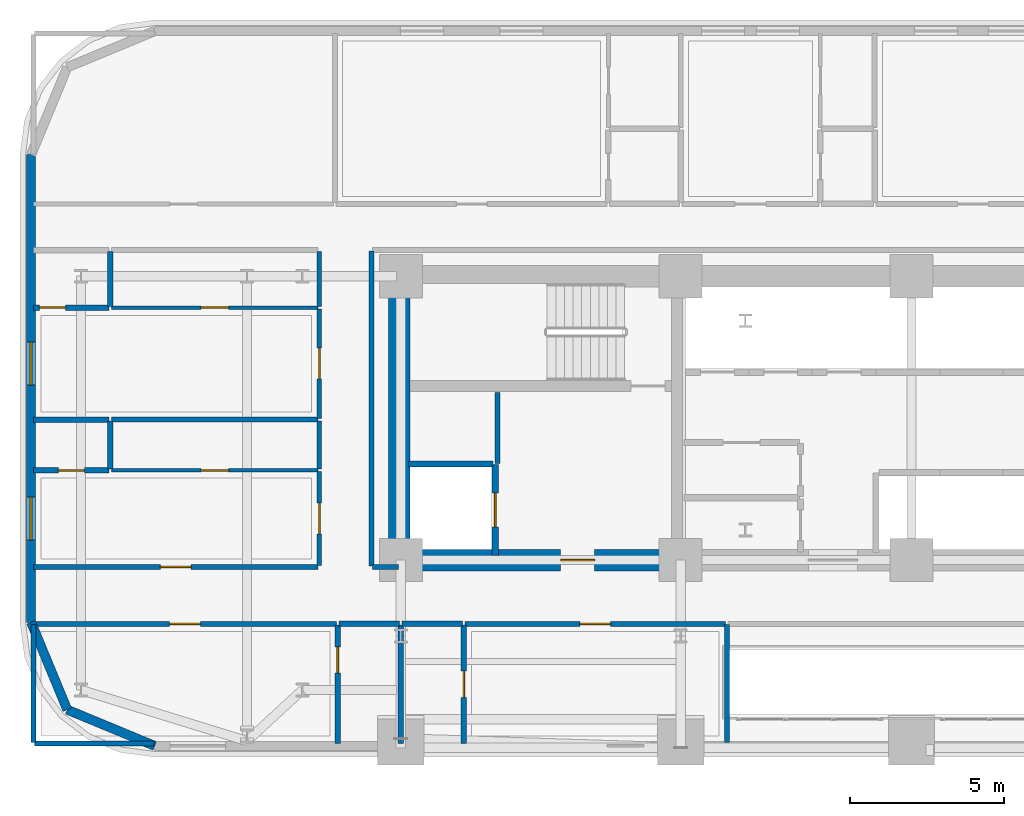
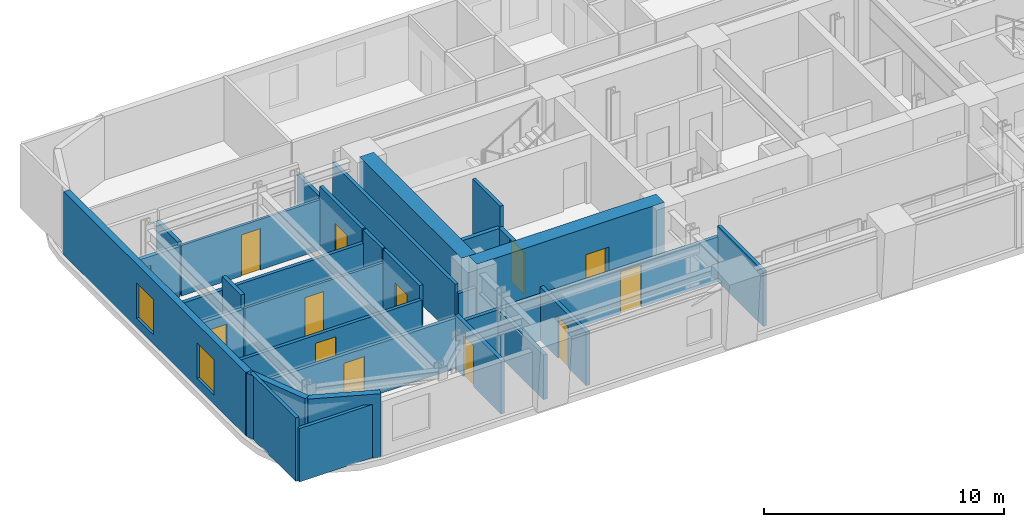
# One storey, part 7 of 16: 33 walls, 13 doors, 2 windows, 15 openings.
"""IFC4 building model written with IfcOpenShell, lengths in metres."""

import ifcopenshell
import ifcopenshell.guid

model = None  # the IFC model being written
_history = None  # IfcOwnerHistory: only IFC2X3 demands one
_inside = {}  # id of a spatial element -> (the spatial element, [elements in it])
_under = {}  # id of a project, library or spatial element -> (it, [spatial elements below it])
_declared = {}  # id of a project -> (the project, [libraries it declares])
_typed = {}  # id of a type object -> (the type object, [elements of that type])
_made_of = {}  # id of a material, layer set ... -> (it, [elements and type objects made of it])


def new_model(schema):
    """Start an empty IFC model of exactly this schema.

    Asked for "IFC4X3", IfcOpenShell would pick the latest addendum, in which some entities
    have other attributes; the version numbers below select the first issue.
    IFC2X3 requires an IfcOwnerHistory on every rooted entity: one is made here for all.
    """
    global model, _history
    if schema == "IFC4X3":
        model = ifcopenshell.file(schema_version=(4, 3, 0, 0))
    else:
        model = ifcopenshell.file(schema=schema)
    _inside.clear()
    _under.clear()
    _declared.clear()
    _typed.clear()
    _made_of.clear()
    _history = None
    if model.schema == "IFC2X3":
        org = make("IfcOrganization", Name="unknown")
        user = make(
            "IfcPersonAndOrganization",
            ThePerson=make("IfcPerson", FamilyName="unknown"),
            TheOrganization=org,
        )
        app = make(
            "IfcApplication",
            ApplicationDeveloper=org,
            Version="unknown",
            ApplicationFullName="unknown",
            ApplicationIdentifier="unknown",
        )
        _history = make(
            "IfcOwnerHistory",
            OwningUser=user,
            OwningApplication=app,
            ChangeAction="ADDED",
            CreationDate=0,
        )
    return model


def make(cls, **values):
    """One entity of the class cls with the attributes given. An attribute that is None is left unset."""
    return model.create_entity(
        cls, **{name: value for name, value in values.items() if value is not None}
    )


def rooted(cls, **values):
    """An entity with a GlobalId (a new one), such as an element, a storey or a relation."""
    return make(cls, GlobalId=ifcopenshell.guid.new(), OwnerHistory=_history, **values)


def si_unit(unit_type, name, prefix=None):
    """IfcSIUnit, for example si_unit("LENGTHUNIT", "METRE", prefix="MILLI")."""
    return make("IfcSIUnit", UnitType=unit_type, Prefix=prefix, Name=name)


def assignment(units):
    """IfcUnitAssignment: the units of a project."""
    return None if units is None else make("IfcUnitAssignment", Units=units)


def point(xyz):
    """IfcCartesianPoint."""
    return None if xyz is None else make("IfcCartesianPoint", Coordinates=xyz)


def direction(xyz):
    """IfcDirection."""
    return None if xyz is None else make("IfcDirection", DirectionRatios=xyz)


def frame(location, z_axis=None, x_axis=None):
    """IfcAxis2Placement3D, a coordinate frame: its origin and axes. An axis left out is left unset."""
    return make(
        "IfcAxis2Placement3D",
        Location=point(location),
        Axis=direction(z_axis),
        RefDirection=direction(x_axis),
    )


def frame_2d(location, x_axis=None):
    """IfcAxis2Placement2D, a coordinate frame in the plane: its origin and x axis."""
    return make(
        "IfcAxis2Placement2D", Location=point(location), RefDirection=direction(x_axis)
    )


def origin():
    """The frame at (0, 0, 0) with its axes left unset."""
    return frame((0.0, 0.0, 0.0))


def place(relative_to, where):
    """IfcLocalPlacement: puts the frame where relative to a parent placement (None: the world)."""
    return make(
        "IfcLocalPlacement", PlacementRelTo=relative_to, RelativePlacement=where
    )


def context(
    kind, dimensions, precision=None, world=None, true_north=None, identifier=None
):
    """IfcGeometricRepresentationContext, for example the 3D "Model" context."""
    return make(
        "IfcGeometricRepresentationContext",
        ContextIdentifier=identifier,
        ContextType=kind,
        CoordinateSpaceDimension=dimensions,
        Precision=precision,
        WorldCoordinateSystem=world,
        TrueNorth=true_north,
    )


def subcontext(parent, identifier, kind, view, scale=None):
    """IfcGeometricRepresentationSubContext, for example "Body" below "Model"."""
    return make(
        "IfcGeometricRepresentationSubContext",
        ContextIdentifier=identifier,
        ContextType=kind,
        ParentContext=parent,
        TargetScale=scale,
        TargetView=view,
    )


def project(units=None, contexts=None):
    """IfcProject with its units and contexts."""
    return rooted(
        "IfcProject",
        Name="project",
        RepresentationContexts=contexts,
        UnitsInContext=assignment(units),
    )


def spatial(cls, under=None, at=None, **own):
    """A site, building, storey or space (cls), placed at a placement, below another one or the project."""
    s = rooted(cls, ObjectPlacement=at, **own)
    if under is not None:
        _under.setdefault(under.id(), (under, []))[1].append(s)
    return s


def profile(cls, at=None, kind="AREA", **sizes):
    """A parametric profile (cls). Its sizes go by their IFC names, for example OverallWidth=200.0."""
    return make(cls, ProfileType=kind, Position=at, **sizes)


def rectangle(**sizes):
    """IfcRectangleProfileDef."""
    return profile("IfcRectangleProfileDef", **sizes)


def extrude(swept, where, along, depth):
    """IfcExtrudedAreaSolid: the profile swept, set in the frame where, extruded along a direction by depth."""
    return make(
        "IfcExtrudedAreaSolid",
        SweptArea=swept,
        Position=where,
        ExtrudedDirection=direction(along),
        Depth=depth,
    )


def shape(context_of_items, identifier, shape_type, items):
    """IfcShapeRepresentation: the items that make up one representation, for example the "Body"."""
    return make(
        "IfcShapeRepresentation",
        ContextOfItems=context_of_items,
        RepresentationIdentifier=identifier,
        RepresentationType=shape_type,
        Items=items,
    )


def material(Name=None, Category=None):
    """IfcMaterial."""
    return make("IfcMaterial", Name=Name, Category=Category)


def layer(
    of_material, thickness, ventilated=None, Name=None, Category=None, Priority=None
):
    """IfcMaterialLayer: one layer of a wall or slab, of a material (None: an air gap)."""
    return make(
        "IfcMaterialLayer",
        Material=of_material,
        LayerThickness=thickness,
        IsVentilated=ventilated,
        Name=Name,
        Category=Category,
        Priority=Priority,
    )


def layer_set(layers, Name=None):
    """IfcMaterialLayerSet."""
    return make("IfcMaterialLayerSet", MaterialLayers=layers, LayerSetName=Name)


def made_of(thing, what):
    """Note that an element or type object is made of a material, layer set ...; save() writes the relation."""
    if what is not None:
        _made_of.setdefault(what.id(), (what, []))[1].append(thing)
    return thing


def type_object(cls, material=None, **own):
    """A type object (cls), such as IfcWallType, which elements share."""
    return made_of(rooted(cls, **own), material)


def element(
    cls,
    number,
    at=None,
    inside=None,
    cuts=None,
    type_object=None,
    material=None,
    context=None,
    identifier="Body",
    shape_type=None,
    held_by="IfcProductDefinitionShape",
    body=None,
    shapes=None,
    **own,
):
    """One element of the class cls, such as IfcWall. Its Tag is "e" and its number.

    at: its placement. inside: the storey or other place that contains it. cuts: it is an
    opening in that element (IfcRelVoidsElement). A single representation is given by context,
    identifier, shape_type and body (its items); several are given by shapes. held_by: the class
    of the entity that holds the representations. save() writes the other relations.
    """
    e = rooted(cls, Tag="e%d" % number, ObjectPlacement=at, **own)
    if body is not None:
        shapes = [shape(context, identifier, shape_type, body)]
    if shapes is not None:
        e.Representation = make(held_by, Representations=shapes)
    if inside is not None:
        _inside.setdefault(inside.id(), (inside, []))[1].append(e)
    if cuts is not None:
        rooted(
            "IfcRelVoidsElement", RelatingBuildingElement=cuts, RelatedOpeningElement=e
        )
    if type_object is not None:
        _typed.setdefault(type_object.id(), (type_object, []))[1].append(e)
    return made_of(e, material)


def fill(opening, filler):
    """IfcRelFillsElement: the door or window that sits in an opening."""
    return rooted(
        "IfcRelFillsElement",
        RelatingOpeningElement=opening,
        RelatedBuildingElement=filler,
    )


def aggregate(whole, parts):
    """IfcRelAggregates: a whole, such as a stair, and the parts it consists of."""
    return rooted("IfcRelAggregates", RelatingObject=whole, RelatedObjects=parts)


def save(model, path):
    """Write the relations noted so far, then the file.

    IfcRelAggregates (storeys below a building ...), IfcRelContainedInSpatialStructure (elements
    in a storey), IfcRelDefinesByType, IfcRelAssociatesMaterial and IfcRelDeclares: one each for
    every whole, place, type object, material and project.
    """
    for whole, parts in _under.values():
        aggregate(whole, parts)
    for where, things in _inside.values():
        rooted(
            "IfcRelContainedInSpatialStructure",
            RelatedElements=things,
            RelatingStructure=where,
        )
    for kind, things in _typed.values():
        rooted("IfcRelDefinesByType", RelatedObjects=things, RelatingType=kind)
    for what, things in _made_of.values():
        rooted("IfcRelAssociatesMaterial", RelatedObjects=things, RelatingMaterial=what)
    for by, libraries in _declared.values():
        rooted("IfcRelDeclares", RelatingContext=by, RelatedDefinitions=libraries)
    model.write(path)


model = new_model("IFC4")

# Units and contexts
model_context = context("Model", 3, precision=1e-05, world=origin(), true_north=direction((0.0, 1.0)))
body_context = subcontext(model_context, "Body", "Model", "MODEL_VIEW")
ifc_project = project(units=[si_unit("LENGTHUNIT", "METRE"), si_unit("AREAUNIT", "SQUARE_METRE"), si_unit("VOLUMEUNIT", "CUBIC_METRE"), si_unit("PLANEANGLEUNIT", "RADIAN"), si_unit("MASSUNIT", "GRAM", prefix="KILO")], contexts=[model_context])

# Site, building, storey
site_placement = place(None, origin())
site = spatial("IfcSite", under=ifc_project, at=site_placement, CompositionType="ELEMENT")
building_placement = place(site_placement, origin())
building = spatial("IfcBuilding", under=site, at=building_placement, Name="Zarnavel Station Tower", CompositionType="ELEMENT")
storey_placement = place(building_placement, frame((0.0, 0.0, 46.5)))
storey = spatial("IfcBuildingStorey", under=building, at=storey_placement, Name="L12", CompositionType="ELEMENT", Elevation=46.5)

# Wall, opening, door
ifc_material_1 = material(Name="Concrete C60/75", Category="concrete")
ifc_layer_1 = layer(ifc_material_1, 0.699951171875)
ifc_layer_set_1 = layer_set([ifc_layer_1], Name="CW_700")
wall_type_1 = type_object("IfcWallType", Name="CW_700", PredefinedType="SHEAR", material=ifc_layer_set_1)
wall_1_placement = place(storey_placement, frame((21.179931640625, 27.820068359375, 0.0), z_axis=(0.0, 0.0, 1.0), x_axis=(-1.0, 0.0, 0.0)))
wall_1 = element("IfcWall", 1, at=wall_1_placement, inside=storey, type_object=wall_type_1, Name="L12 Rear Core Shear Wall S-W", PredefinedType="SHEAR", context=body_context, shape_type="SweptSolid", body=[
    extrude(rectangle(XDim=9.030029296875, YDim=0.699951171875, at=frame_2d((4.51513671875, 0.0))), origin(), (0.0, 0.0, 1.0), 3.5),
])
opening_1_placement = place(wall_1_placement, frame((2.679931640625, 0.0, 0.0)))
opening_1 = element("IfcOpeningElement", 2, at=opening_1_placement, cuts=wall_1, Name="Opening FD01", PredefinedType="OPENING", context=body_context, shape_type="SweptSolid", body=[
    extrude(rectangle(XDim=1.10009765625, YDim=2.14990234375, at=frame_2d((0.550048828125, 1.074951171875))), frame((0.0, 0.35986328125, 0.0), z_axis=(0.0, -1.0, 0.0), x_axis=(1.0, 0.0, 0.0)), (0.0, 0.0, 1.0), 0.719970703125),
])
ifc_material_2 = material(Name="Painted Galvanised Steel and Hardwood Leaf", Category="steel")
door_type_1 = type_object("IfcDoorType", Name="ID_STAIR_1100", OperationType="NOTDEFINED", PredefinedType="DOOR", material=ifc_material_2)
door_1_placement = place(opening_1_placement, origin())
door_1 = element("IfcDoor", 3, at=door_1_placement, inside=storey, type_object=door_type_1, Name="L12 West Firefighting Lobby Door", OperationType="SINGLE_SWING_RIGHT", OverallHeight=2.14990234375, OverallWidth=1.10009765625, PredefinedType="DOOR", context=body_context, shape_type="SweptSolid", body=[
    extrude(rectangle(XDim=1.10009765625, YDim=2.14990234375, at=frame_2d((0.550048828125, 1.074951171875))), frame((0.0, 0.02490234375, 0.0), z_axis=(0.0, -1.0, 0.0), x_axis=(1.0, 0.0, 0.0)), (0.0, 0.0, 1.0), 0.050048828125),
])
fill(opening_1, door_1)

# Wall
wall_2_placement = place(storey_placement, frame((12.14990234375, 28.169921875, 0.0), z_axis=(0.0, 0.0, 1.0), x_axis=(0.0, 1.0, 0.0)))
element("IfcWall", 4, at=wall_2_placement, inside=storey, type_object=wall_type_1, Name="L12 Rear Core Shear Wall W", PredefinedType="SHEAR", context=body_context, shape_type="SweptSolid", body=[
    extrude(rectangle(XDim=8.530029296875, YDim=0.699951171875, at=frame_2d((4.26513671875, 0.0))), origin(), (0.0, 0.0, 1.0), 3.5),
])

# Wall, openings, windows
ifc_material_3 = material(Name="Precast concrete C45/55 (Dark Basalt Finish)", Category="masonry")
ifc_layer_2 = layer(ifc_material_3, 0.300048828125)
ifc_layer_set_2 = layer_set([ifc_layer_2], Name="EW_BASALT_300")
wall_type_2 = type_object("IfcWallType", Name="EW_BASALT_300", PredefinedType="SOLIDWALL", material=ifc_layer_set_2)
wall_3_placement = place(storey_placement, frame((0.179931640625, 25.800048828125, 0.0), z_axis=(0.0, 0.0, 1.0), x_axis=(0.0, 1.0, 0.0)))
wall_3 = element("IfcWall", 5, at=wall_3_placement, inside=storey, type_object=wall_type_2, Name="L12 Exterior Basalt Masonry Frame Wall 09", PredefinedType="SOLIDWALL", context=body_context, shape_type="SweptSolid", body=[
    extrude(rectangle(XDim=15.199951171875, YDim=0.300048828125, at=frame_2d((7.60009765625, 0.0))), origin(), (0.0, 0.0, 1.0), 3.239990234375),
])
opening_2_placement = place(wall_3_placement, frame((2.67041015625, 0.0, 0.47998046875)))
opening_2 = element("IfcOpeningElement", 6, at=opening_2_placement, cuts=wall_3, Name="Opening WN01", PredefinedType="OPENING", context=body_context, shape_type="SweptSolid", body=[
    extrude(rectangle(XDim=1.39990234375, YDim=1.800048828125, at=frame_2d((0.699951171875, 0.89990234375))), frame((0.0, 0.159912109375, 0.0), z_axis=(0.0, -1.0, 0.0), x_axis=(1.0, 0.0, 0.0)), (0.0, 0.0, 1.0), 0.320068359375),
])
opening_3_placement = place(wall_3_placement, frame((7.708984375, 0.0, 0.47998046875)))
opening_3 = element("IfcOpeningElement", 7, at=opening_3_placement, cuts=wall_3, Name="Opening WN01", PredefinedType="OPENING", context=body_context, shape_type="SweptSolid", body=[
    extrude(rectangle(XDim=1.39990234375, YDim=1.800048828125, at=frame_2d((0.699951171875, 0.89990234375))), frame((0.0, 0.159912109375, 0.0), z_axis=(0.0, -1.0, 0.0), x_axis=(1.0, 0.0, 0.0)), (0.0, 0.0, 1.0), 0.320068359375),
])
ifc_material_4 = material(Name="Thermally Broken Black Aluminium and Low-E Dark Glass", Category="aluminium")
window_type = type_object("IfcWindowType", Name="WN_1400x1800", PartitioningType="DOUBLE_PANEL_VERTICAL", PredefinedType="WINDOW", material=ifc_material_4)
window_1_placement = place(opening_2_placement, origin())
window_1 = element("IfcWindow", 8, at=window_1_placement, inside=storey, type_object=window_type, Name="L12 Recessed Facade Window 01", OverallHeight=1.800048828125, OverallWidth=1.39990234375, PartitioningType="SINGLE_PANEL", PredefinedType="WINDOW", context=body_context, shape_type="SweptSolid", body=[
    extrude(rectangle(XDim=1.39990234375, YDim=1.800048828125, at=frame_2d((0.699951171875, 0.89990234375))), frame((0.0, 0.030029296875, 0.0), z_axis=(0.0, -1.0, 0.0), x_axis=(1.0, 0.0, 0.0)), (0.0, 0.0, 1.0), 0.06005859375),
])
fill(opening_2, window_1)
window_2_placement = place(opening_3_placement, origin())
window_2 = element("IfcWindow", 9, at=window_2_placement, inside=storey, type_object=window_type, Name="L12 Recessed Facade Window 02", OverallHeight=1.800048828125, OverallWidth=1.39990234375, PartitioningType="SINGLE_PANEL", PredefinedType="WINDOW", context=body_context, shape_type="SweptSolid", body=[
    extrude(rectangle(XDim=1.39990234375, YDim=1.800048828125, at=frame_2d((0.699951171875, 0.89990234375))), frame((0.0, 0.030029296875, 0.0), z_axis=(0.0, -1.0, 0.0), x_axis=(1.0, 0.0, 0.0)), (0.0, 0.0, 1.0), 0.06005859375),
])
fill(opening_3, window_2)

# Walls
for number, where, z_axis, x_axis, name in (
    (10, (1.357421875, 22.95751953125, 0.0), (0.0, 0.0, 1.0), (-0.382704529509, 0.923870793506, 0.0), "L12 Exterior Basalt Masonry Frame Wall 10"),
    (11, (4.199951171875, 21.780029296875, 0.0), (0.0, 0.0, 1.0), (-0.923870793506, 0.382704529509, 0.0), "L12 Exterior Basalt Masonry Frame Wall 11"),
):
    element("IfcWall", number, at=place(storey_placement, frame(where, z_axis=z_axis, x_axis=x_axis)), inside=storey, type_object=wall_type_2, Name=name, PredefinedType="SOLIDWALL", context=body_context, shape_type="SweptSolid", body=[
        extrude(rectangle(XDim=3.07666015625, YDim=0.300048828125, at=frame_2d((1.538330078125, 0.0))), origin(), (0.0, 0.0, 1.0), 3.239990234375),
    ])

# Wall, opening, door
ifc_material_5 = material(Name="Gypsum Twin-Stud Acoustic Fire Partition", Category="concrete")
ifc_layer_3 = layer(ifc_material_5, 0.159912109375)
ifc_layer_set_3 = layer_set([ifc_layer_3], Name="PT_DEMISE_160")
wall_type_3 = type_object("IfcWallType", Name="PT_DEMISE_160", PredefinedType="PARTITIONING", material=ifc_layer_set_3)
wall_4_placement = place(storey_placement, frame((0.260009765625, 27.60009765625, 0.0), z_axis=(0.0, 0.0, 1.0), x_axis=(1.0, 0.0, 0.0)))
wall_4 = element("IfcWall", 12, at=wall_4_placement, inside=storey, type_object=wall_type_3, Name="L12 Partition COR-S-FNW1R", PredefinedType="PARTITIONING", context=body_context, shape_type="SweptSolid", body=[
    extrude(rectangle(XDim=9.25, YDim=0.159912109375, at=frame_2d((4.625, 0.0))), origin(), (0.0, 0.0, 1.0), 2.570068359375),
])
opening_4_placement = place(wall_4_placement, frame((4.125, 0.0, 0.0)))
opening_4 = element("IfcOpeningElement", 13, at=opening_4_placement, cuts=wall_4, Name="Opening FD02", PredefinedType="OPENING", context=body_context, shape_type="SweptSolid", body=[
    extrude(rectangle(XDim=1.0, YDim=2.14990234375, at=frame_2d((0.5, 1.074951171875))), frame((0.0, 0.08984375, 0.0), z_axis=(0.0, -1.0, 0.0), x_axis=(1.0, 0.0, 0.0)), (0.0, 0.0, 1.0), 0.179931640625),
])
ifc_material_6 = material(Name="Painted Galvanised Steel and Hardwood Leaf", Category="steel")
door_type_2 = type_object("IfcDoorType", Name="ID_ENTRY_1000", OperationType="NOTDEFINED", PredefinedType="DOOR", material=ifc_material_6)
door_2_placement = place(opening_4_placement, origin())
door_2 = element("IfcDoor", 14, at=door_2_placement, inside=storey, type_object=door_type_2, Name="L12 Door COR-S-FNW1R", OperationType="SINGLE_SWING_RIGHT", OverallHeight=2.14990234375, OverallWidth=1.0, PredefinedType="DOOR", context=body_context, shape_type="SweptSolid", body=[
    extrude(rectangle(XDim=1.0, YDim=2.14990234375, at=frame_2d((0.5, 1.074951171875))), frame((0.0, 0.02490234375, 0.0), z_axis=(0.0, -1.0, 0.0), x_axis=(1.0, 0.0, 0.0)), (0.0, 0.0, 1.0), 0.050048828125),
])
fill(opening_4, door_2)

wall_5_placement = place(storey_placement, frame((0.260009765625, 25.75, 0.0), z_axis=(0.0, 0.0, 1.0), x_axis=(1.0, 0.0, 0.0)))
wall_5 = element("IfcWall", 15, at=wall_5_placement, inside=storey, type_object=wall_type_3, Name="L12 Partition COR-S-HW1R", PredefinedType="PARTITIONING", context=body_context, shape_type="SweptSolid", body=[
    extrude(rectangle(XDim=9.85009765625, YDim=0.159912109375, at=frame_2d((4.925048828125, 0.0))), origin(), (0.0, 0.0, 1.0), 2.570068359375),
])
opening_5_placement = place(wall_5_placement, frame((4.425048828125, 0.0, 0.0)))
opening_5 = element("IfcOpeningElement", 16, at=opening_5_placement, cuts=wall_5, Name="Opening FD02", PredefinedType="OPENING", context=body_context, shape_type="SweptSolid", body=[
    extrude(rectangle(XDim=1.0, YDim=2.14990234375, at=frame_2d((0.5, 1.074951171875))), frame((0.0, 0.08984375, 0.0), z_axis=(0.0, -1.0, 0.0), x_axis=(1.0, 0.0, 0.0)), (0.0, 0.0, 1.0), 0.179931640625),
])
door_3_placement = place(opening_5_placement, origin())
door_3 = element("IfcDoor", 17, at=door_3_placement, inside=storey, type_object=door_type_2, Name="L12 Door COR-S-HW1R", OperationType="SINGLE_SWING_RIGHT", OverallHeight=2.14990234375, OverallWidth=1.0, PredefinedType="DOOR", context=body_context, shape_type="SweptSolid", body=[
    extrude(rectangle(XDim=1.0, YDim=2.14990234375, at=frame_2d((0.5, 1.074951171875))), frame((0.0, 0.02490234375, 0.0), z_axis=(0.0, -1.0, 0.0), x_axis=(1.0, 0.0, 0.0)), (0.0, 0.0, 1.0), 0.050048828125),
])
fill(opening_5, door_3)

wall_6_placement = place(storey_placement, frame((14.2900390625, 25.75, 0.0), z_axis=(0.0, 0.0, 1.0), x_axis=(1.0, 0.0, 0.0)))
wall_6 = element("IfcWall", 18, at=wall_6_placement, inside=storey, type_object=wall_type_3, Name="L12 Partition COR-S-HW2R", PredefinedType="PARTITIONING", context=body_context, shape_type="SweptSolid", body=[
    extrude(rectangle(XDim=8.469970703125, YDim=0.159912109375, at=frame_2d((4.23486328125, 0.0))), origin(), (0.0, 0.0, 1.0), 2.280029296875),
])
opening_6_placement = place(wall_6_placement, frame((3.735107421875, 0.0, 0.0)))
opening_6 = element("IfcOpeningElement", 19, at=opening_6_placement, cuts=wall_6, Name="Opening FD02", PredefinedType="OPENING", context=body_context, shape_type="SweptSolid", body=[
    extrude(rectangle(XDim=1.0, YDim=2.14990234375, at=frame_2d((0.5, 1.074951171875))), frame((0.0, 0.08984375, 0.0), z_axis=(0.0, -1.0, 0.0), x_axis=(1.0, 0.0, 0.0)), (0.0, 0.0, 1.0), 0.179931640625),
])
door_4_placement = place(opening_6_placement, origin())
door_4 = element("IfcDoor", 20, at=door_4_placement, inside=storey, type_object=door_type_2, Name="L12 Door COR-S-HW2R", OperationType="SINGLE_SWING_LEFT", OverallHeight=2.14990234375, OverallWidth=1.0, PredefinedType="DOOR", context=body_context, shape_type="SweptSolid", body=[
    extrude(rectangle(XDim=1.0, YDim=2.14990234375, at=frame_2d((0.5, 1.074951171875))), frame((0.0, 0.02490234375, 0.0), z_axis=(0.0, -1.0, 0.0), x_axis=(1.0, 0.0, 0.0)), (0.0, 0.0, 1.0), 0.050048828125),
])
fill(opening_6, door_4)

wall_7_placement = place(storey_placement, frame((9.550048828125, 27.639892578125, 0.0), z_axis=(0.0, 0.0, 1.0), x_axis=(0.0, 1.0, 0.0)))
wall_7 = element("IfcWall", 21, at=wall_7_placement, inside=storey, type_object=wall_type_3, Name="L12 Partition COR-W-FNW1R", PredefinedType="PARTITIONING", context=body_context, shape_type="SweptSolid", body=[
    extrude(rectangle(XDim=3.06103515625, YDim=0.159912109375, at=frame_2d((1.530517578125, 0.0))), origin(), (0.0, 0.0, 1.0), 3.239990234375),
])
opening_7_placement = place(wall_7_placement, frame((1.030517578125, 0.0, 0.0)))
opening_7 = element("IfcOpeningElement", 22, at=opening_7_placement, cuts=wall_7, Name="Opening FD02", PredefinedType="OPENING", context=body_context, shape_type="SweptSolid", body=[
    extrude(rectangle(XDim=1.0, YDim=2.14990234375, at=frame_2d((0.5, 1.074951171875))), frame((0.0, 0.08984375, 0.0), z_axis=(0.0, -1.0, 0.0), x_axis=(1.0, 0.0, 0.0)), (0.0, 0.0, 1.0), 0.179931640625),
])
door_5_placement = place(opening_7_placement, origin())
door_5 = element("IfcDoor", 23, at=door_5_placement, inside=storey, type_object=door_type_2, Name="L12 Door COR-W-FNW1R", OperationType="SINGLE_SWING_RIGHT", OverallHeight=2.14990234375, OverallWidth=1.0, PredefinedType="DOOR", context=body_context, shape_type="SweptSolid", body=[
    extrude(rectangle(XDim=1.0, YDim=2.14990234375, at=frame_2d((0.5, 1.074951171875))), frame((0.0, 0.02490234375, 0.0), z_axis=(0.0, -1.0, 0.0), x_axis=(1.0, 0.0, 0.0)), (0.0, 0.0, 1.0), 0.050048828125),
])
fill(opening_7, door_5)

# Wall
wall_8_placement = place(storey_placement, frame((9.550048828125, 30.781005859375, 0.0), z_axis=(0.0, 0.0, 1.0), x_axis=(0.0, 1.0, 0.0)))
element("IfcWall", 24, at=wall_8_placement, inside=storey, type_object=wall_type_3, Name="L12 Partition COR-W-FNW1S", PredefinedType="PARTITIONING", context=body_context, shape_type="SweptSolid", body=[
    extrude(rectangle(XDim=1.570068359375, YDim=0.159912109375, at=frame_2d((0.78515625, 0.0))), origin(), (0.0, 0.0, 1.0), 3.239990234375),
])

# Wall, opening, door
wall_9_placement = place(storey_placement, frame((9.550048828125, 32.430908203125, 0.0), z_axis=(0.0, 0.0, 1.0), x_axis=(0.0, 1.0, 0.0)))
wall_9 = element("IfcWall", 25, at=wall_9_placement, inside=storey, type_object=wall_type_3, Name="L12 Partition COR-W-FNW2R", PredefinedType="PARTITIONING", context=body_context, shape_type="SweptSolid", body=[
    extrude(rectangle(XDim=3.55615234375, YDim=0.159912109375, at=frame_2d((1.778076171875, 0.0))), origin(), (0.0, 0.0, 1.0), 3.239990234375),
])
opening_8_placement = place(wall_9_placement, frame((1.278076171875, 0.0, 0.0)))
opening_8 = element("IfcOpeningElement", 26, at=opening_8_placement, cuts=wall_9, Name="Opening FD02", PredefinedType="OPENING", context=body_context, shape_type="SweptSolid", body=[
    extrude(rectangle(XDim=1.0, YDim=2.14990234375, at=frame_2d((0.5, 1.074951171875))), frame((0.0, 0.08984375, 0.0), z_axis=(0.0, -1.0, 0.0), x_axis=(1.0, 0.0, 0.0)), (0.0, 0.0, 1.0), 0.179931640625),
])
door_6_placement = place(opening_8_placement, origin())
door_6 = element("IfcDoor", 27, at=door_6_placement, inside=storey, type_object=door_type_2, Name="L12 Door COR-W-FNW2R", OperationType="SINGLE_SWING_LEFT", OverallHeight=2.14990234375, OverallWidth=1.0, PredefinedType="DOOR", context=body_context, shape_type="SweptSolid", body=[
    extrude(rectangle(XDim=1.0, YDim=2.14990234375, at=frame_2d((0.5, 1.074951171875))), frame((0.0, 0.02490234375, 0.0), z_axis=(0.0, -1.0, 0.0), x_axis=(1.0, 0.0, 0.0)), (0.0, 0.0, 1.0), 0.050048828125),
])
fill(opening_8, door_6)

# Walls
wall_10_placement = place(storey_placement, frame((9.550048828125, 36.06689453125, 0.0), z_axis=(0.0, 0.0, 1.0), x_axis=(0.0, 1.0, 0.0)))
element("IfcWall", 28, at=wall_10_placement, inside=storey, type_object=wall_type_3, Name="L12 Partition COR-W-FNW2S", PredefinedType="PARTITIONING", context=body_context, shape_type="SweptSolid", body=[
    extrude(rectangle(XDim=1.793212890625, YDim=0.159912109375, at=frame_2d((0.896484375, 0.0))), origin(), (0.0, 0.0, 1.0), 2.719970703125),
])
wall_11_placement = place(storey_placement, frame((2.800048828125, 32.39111328125, 0.0), z_axis=(0.0, 0.0, 1.0), x_axis=(1.0, 0.0, 0.0)))
element("IfcWall", 29, at=wall_11_placement, inside=storey, type_object=wall_type_3, Name="L12 Partition FNW1S-FNW2R", PredefinedType="PARTITIONING", context=body_context, shape_type="SweptSolid", body=[
    extrude(rectangle(XDim=6.7099609375, YDim=0.159912109375, at=frame_2d((3.35498046875, 0.0))), origin(), (0.0, 0.0, 1.0), 2.570068359375),
])
wall_12_placement = place(storey_placement, frame((15.35009765625, 30.9599609375, 0.0), z_axis=(0.0, 0.0, 1.0), x_axis=(0.0, 1.0, 0.0)))
element("IfcWall", 30, at=wall_12_placement, inside=storey, type_object=wall_type_3, Name="L12 Enclosure Wall FFL1", PredefinedType="PARTITIONING", context=body_context, shape_type="SweptSolid", body=[
    extrude(rectangle(XDim=2.31005859375, YDim=0.159912109375, at=frame_2d((1.155029296875, 0.0))), origin(), (0.0, 0.0, 1.0), 3.239990234375),
])
wall_13_placement = place(storey_placement, frame((11.280029296875, 27.60009765625, 0.0), z_axis=(0.0, 0.0, 1.0), x_axis=(1.0, 0.0, 0.0)))
element("IfcWall", 31, at=wall_13_placement, inside=storey, type_object=wall_type_3, Name="L12 Enclosure Wall COR-S", PredefinedType="PARTITIONING", context=body_context, shape_type="SweptSolid", body=[
    extrude(rectangle(XDim=0.840087890625, YDim=0.159912109375, at=frame_2d((0.419921875, 0.0))), origin(), (0.0, 0.0, 1.0), 2.280029296875),
])
wall_14_placement = place(storey_placement, frame((11.25, 27.6298828125, 0.0), z_axis=(0.0, 0.0, 1.0), x_axis=(0.0, 1.0, 0.0)))
element("IfcWall", 32, at=wall_14_placement, inside=storey, type_object=wall_type_3, Name="L12 Enclosure Wall COR-W", PredefinedType="PARTITIONING", context=body_context, shape_type="SweptSolid", body=[
    extrude(rectangle(XDim=10.240234375, YDim=0.159912109375, at=frame_2d((5.1201171875, 0.0))), origin(), (0.0, 0.0, 1.0), 2.719970703125),
])
wall_15_placement = place(storey_placement, frame((0.2900390625, 21.860107421875, 0.0), z_axis=(0.0, 0.0, 1.0), x_axis=(1.0, 0.0, 0.0)))
element("IfcWall", 33, at=wall_15_placement, inside=storey, type_object=wall_type_3, Name="L12 Enclosure Wall HW1R", PredefinedType="PARTITIONING", context=body_context, shape_type="SweptSolid", body=[
    extrude(rectangle(XDim=3.8798828125, YDim=0.159912109375, at=frame_2d((1.93994140625, 0.0))), origin(), (0.0, 0.0, 1.0), 2.719970703125),
])
wall_16_placement = place(storey_placement, frame((0.260009765625, 21.889892578125, 0.0), z_axis=(0.0, 0.0, 1.0), x_axis=(0.0, 1.0, 0.0)))
element("IfcWall", 34, at=wall_16_placement, inside=storey, type_object=wall_type_3, Name="L12 Enclosure Wall HW1R", PredefinedType="PARTITIONING", context=body_context, shape_type="SweptSolid", body=[
    extrude(rectangle(XDim=3.830078125, YDim=0.159912109375, at=frame_2d((1.9150390625, 0.0))), origin(), (0.0, 0.0, 1.0), 3.239990234375),
])
wall_17_placement = place(storey_placement, frame((22.800048828125, 21.889892578125, 0.0), z_axis=(0.0, 0.0, 1.0), x_axis=(0.0, 1.0, 0.0)))
element("IfcWall", 35, at=wall_17_placement, inside=storey, type_object=wall_type_3, Name="L12 Enclosure Wall HW2R", PredefinedType="PARTITIONING", context=body_context, shape_type="SweptSolid", body=[
    extrude(rectangle(XDim=3.830078125, YDim=0.159912109375, at=frame_2d((1.9150390625, 0.0))), origin(), (0.0, 0.0, 1.0), 2.820068359375),
])

# Wall, opening, door
ifc_material_7 = material(Name="Gypsum Metal-Stud Interior Partition", Category="concrete")
ifc_layer_4 = layer(ifc_material_7, 0.1201171875)
ifc_layer_set_4 = layer_set([ifc_layer_4], Name="PT_ROOM_120")
wall_type_4 = type_object("IfcWallType", Name="PT_ROOM_120", PredefinedType="PARTITIONING", material=ifc_layer_set_4)
wall_18_placement = place(storey_placement, frame((2.800048828125, 30.740966796875, 0.0), z_axis=(0.0, 0.0, 1.0), x_axis=(1.0, 0.0, 0.0)))
wall_18 = element("IfcWall", 36, at=wall_18_placement, inside=storey, type_object=wall_type_4, Name="L12 Partition FNW1R-FNW1S", PredefinedType="PARTITIONING", context=body_context, shape_type="SweptSolid", body=[
    extrude(rectangle(XDim=6.7099609375, YDim=0.1201171875, at=frame_2d((3.35498046875, 0.0))), origin(), (0.0, 0.0, 1.0), 2.570068359375),
])
opening_9_placement = place(wall_18_placement, frame((2.905029296875, 0.0, 0.0)))
opening_9 = element("IfcOpeningElement", 37, at=opening_9_placement, cuts=wall_18, Name="Opening ID01", PredefinedType="OPENING", context=body_context, shape_type="SweptSolid", body=[
    extrude(rectangle(XDim=0.89990234375, YDim=2.10009765625, at=frame_2d((0.449951171875, 1.050048828125))), frame((0.0, 0.070068359375, 0.0), z_axis=(0.0, -1.0, 0.0), x_axis=(1.0, 0.0, 0.0)), (0.0, 0.0, 1.0), 0.14013671875),
])
ifc_material_8 = material(Name="Painted Galvanised Steel and Hardwood Leaf", Category="steel")
door_type_3 = type_object("IfcDoorType", Name="ID_ROOM_900", OperationType="NOTDEFINED", PredefinedType="DOOR", material=ifc_material_8)
door_7_placement = place(opening_9_placement, origin())
door_7 = element("IfcDoor", 38, at=door_7_placement, inside=storey, type_object=door_type_3, Name="L12 Door FNW1R-FNW1S", OperationType="SINGLE_SWING_RIGHT", OverallHeight=2.10009765625, OverallWidth=0.89990234375, PredefinedType="DOOR", context=body_context, shape_type="SweptSolid", body=[
    extrude(rectangle(XDim=0.89990234375, YDim=2.10009765625, at=frame_2d((0.449951171875, 1.050048828125))), frame((0.0, 0.02490234375, 0.0), z_axis=(0.0, -1.0, 0.0), x_axis=(1.0, 0.0, 0.0)), (0.0, 0.0, 1.0), 0.050048828125),
])
fill(opening_9, door_7)

wall_19_placement = place(storey_placement, frame((2.800048828125, 36.027099609375, 0.0), z_axis=(0.0, 0.0, 1.0), x_axis=(1.0, 0.0, 0.0)))
wall_19 = element("IfcWall", 39, at=wall_19_placement, inside=storey, type_object=wall_type_4, Name="L12 Partition FNW2R-FNW2S", PredefinedType="PARTITIONING", context=body_context, shape_type="SweptSolid", body=[
    extrude(rectangle(XDim=6.7099609375, YDim=0.1201171875, at=frame_2d((3.35498046875, 0.0))), origin(), (0.0, 0.0, 1.0), 2.570068359375),
])
opening_10_placement = place(wall_19_placement, frame((2.905029296875, 0.0, 0.0)))
opening_10 = element("IfcOpeningElement", 40, at=opening_10_placement, cuts=wall_19, Name="Opening ID01", PredefinedType="OPENING", context=body_context, shape_type="SweptSolid", body=[
    extrude(rectangle(XDim=0.89990234375, YDim=2.10009765625, at=frame_2d((0.449951171875, 1.050048828125))), frame((0.0, 0.070068359375, 0.0), z_axis=(0.0, -1.0, 0.0), x_axis=(1.0, 0.0, 0.0)), (0.0, 0.0, 1.0), 0.14013671875),
])
door_8_placement = place(opening_10_placement, origin())
door_8 = element("IfcDoor", 41, at=door_8_placement, inside=storey, type_object=door_type_3, Name="L12 Door FNW2R-FNW2S", OperationType="SINGLE_SWING_RIGHT", OverallHeight=2.10009765625, OverallWidth=0.89990234375, PredefinedType="DOOR", context=body_context, shape_type="SweptSolid", body=[
    extrude(rectangle(XDim=0.89990234375, YDim=2.10009765625, at=frame_2d((0.449951171875, 1.050048828125))), frame((0.0, 0.02490234375, 0.0), z_axis=(0.0, -1.0, 0.0), x_axis=(1.0, 0.0, 0.0)), (0.0, 0.0, 1.0), 0.050048828125),
])
fill(opening_10, door_8)

ifc_material_9 = material(Name="Precast concrete C45/55 (Fire Shaft Blockwork)", Category="masonry")
ifc_layer_5 = layer(ifc_material_9, 0.199951171875)
ifc_layer_set_5 = layer_set([ifc_layer_5], Name="PT_SHAFT_200")
wall_type_5 = type_object("IfcWallType", Name="PT_SHAFT_200", PredefinedType="PARTITIONING", material=ifc_layer_set_5)
wall_20_placement = place(storey_placement, frame((15.27001953125, 27.969970703125, 0.0), z_axis=(0.0, 0.0, 1.0), x_axis=(0.0, 1.0, 0.0)))
wall_20 = element("IfcWall", 42, at=wall_20_placement, inside=storey, type_object=wall_type_5, Name="L12 Lift FFL-01 Shaft Front Wall", PredefinedType="PARTITIONING", context=body_context, shape_type="SweptSolid", body=[
    extrude(rectangle(XDim=2.9599609375, YDim=0.199951171875, at=frame_2d((1.47998046875, 0.0))), origin(), (0.0, 0.0, 1.0), 2.2119140625),
])
opening_11_placement = place(wall_20_placement, frame((0.929931640625, 0.0, 0.0)))
opening_11 = element("IfcOpeningElement", 43, at=opening_11_placement, cuts=wall_20, Name="Opening LD01", PredefinedType="OPENING", context=body_context, shape_type="SweptSolid", body=[
    extrude(rectangle(XDim=1.10009765625, YDim=2.14990234375, at=frame_2d((0.550048828125, 1.074951171875))), frame((0.0, 0.10986328125, 0.0), z_axis=(0.0, -1.0, 0.0), x_axis=(1.0, 0.0, 0.0)), (0.0, 0.0, 1.0), 0.219970703125),
])
ifc_material_10 = material(Name="Painted Galvanised Steel and Hardwood Leaf", Category="steel")
door_type_4 = type_object("IfcDoorType", Name="LD_FF_1100", OperationType="DOUBLE_DOOR_SLIDING", PredefinedType="DOOR", material=ifc_material_10)
door_9_placement = place(opening_11_placement, origin())
door_9 = element("IfcDoor", 44, at=door_9_placement, inside=storey, type_object=door_type_4, Name="L12 Lift FFL-01 Sliding Landing Door", OperationType="DOUBLE_DOOR_SLIDING", OverallHeight=2.14990234375, OverallWidth=1.10009765625, PredefinedType="DOOR", context=body_context, shape_type="SweptSolid", body=[
    extrude(rectangle(XDim=1.10009765625, YDim=2.14990234375, at=frame_2d((0.550048828125, 1.074951171875))), frame((0.0, 0.02490234375, 0.0), z_axis=(0.0, -1.0, 0.0), x_axis=(1.0, 0.0, 0.0)), (0.0, 0.0, 1.0), 0.050048828125),
])
fill(opening_11, door_9)

# Walls
wall_21_placement = place(storey_placement, frame((12.449951171875, 30.949951171875, 0.0), z_axis=(0.0, 0.0, 1.0), x_axis=(1.0, 0.0, 0.0)))
element("IfcWall", 45, at=wall_21_placement, inside=storey, type_object=wall_type_5, Name="L12 Lift FFL-01 North Shaft Wall", PredefinedType="PARTITIONING", context=body_context, shape_type="SweptSolid", body=[
    extrude(rectangle(XDim=2.75, YDim=0.199951171875, at=frame_2d((1.375, 0.0))), origin(), (0.0, 0.0, 1.0), 2.2119140625),
])
ifc_material_11 = material(Name="Moisture-Resistant Plumbing Chase Wall", Category="concrete")
ifc_layer_6 = layer(ifc_material_11, 0.179931640625)
ifc_layer_set_6 = layer_set([ifc_layer_6], Name="PW_PLUMB_180")
wall_type_6 = type_object("IfcWallType", Name="PW_PLUMB_180", PredefinedType="PLUMBINGWALL", material=ifc_layer_set_6)
for number, where, z_axis, x_axis, name in (
    (46, (10.18994140625, 25.75, 0.0), (0.0, 0.0, 1.0), (1.0, 0.0, 0.0), "L12 Partition COR-S-HW1B"),
    (47, (12.239990234375, 25.75, 0.0), (0.0, 0.0, 1.0), (1.0, 0.0, 0.0), "L12 Partition COR-S-HW2B"),
):
    element("IfcWall", number, at=place(storey_placement, frame(where, z_axis=z_axis, x_axis=x_axis)), inside=storey, type_object=wall_type_6, Name=name, PredefinedType="PLUMBINGWALL", context=body_context, shape_type="SweptSolid", body=[
        extrude(rectangle(XDim=1.969970703125, YDim=0.179931640625, at=frame_2d((0.98486328125, 0.0))), origin(), (0.0, 0.0, 1.0), 2.280029296875),
    ])

# Wall, opening, door
wall_22_placement = place(storey_placement, frame((0.260009765625, 30.740966796875, 0.0), z_axis=(0.0, 0.0, 1.0), x_axis=(1.0, 0.0, 0.0)))
wall_22 = element("IfcWall", 48, at=wall_22_placement, inside=storey, type_object=wall_type_6, Name="L12 Partition FNW1R-FNW1B", PredefinedType="PLUMBINGWALL", context=body_context, shape_type="SweptSolid", body=[
    extrude(rectangle(XDim=2.4599609375, YDim=0.179931640625, at=frame_2d((1.22998046875, 0.0))), origin(), (0.0, 0.0, 1.0), 2.570068359375),
])
opening_12_placement = place(wall_22_placement, frame((0.804931640625, 0.0, 0.0)))
opening_12 = element("IfcOpeningElement", 49, at=opening_12_placement, cuts=wall_22, Name="Opening ID02", PredefinedType="OPENING", context=body_context, shape_type="SweptSolid", body=[
    extrude(rectangle(XDim=0.85009765625, YDim=2.10009765625, at=frame_2d((0.425048828125, 1.050048828125))), frame((0.0, 0.099853515625, 0.0), z_axis=(0.0, -1.0, 0.0), x_axis=(1.0, 0.0, 0.0)), (0.0, 0.0, 1.0), 0.199951171875),
])
ifc_material_12 = material(Name="Painted Galvanised Steel and Hardwood Leaf", Category="steel")
door_type_5 = type_object("IfcDoorType", Name="ID_BATH_850", OperationType="NOTDEFINED", PredefinedType="DOOR", material=ifc_material_12)
door_10_placement = place(opening_12_placement, origin())
door_10 = element("IfcDoor", 50, at=door_10_placement, inside=storey, type_object=door_type_5, Name="L12 Door FNW1R-FNW1B", OperationType="SINGLE_SWING_LEFT", OverallHeight=2.10009765625, OverallWidth=0.85009765625, PredefinedType="DOOR", context=body_context, shape_type="SweptSolid", body=[
    extrude(rectangle(XDim=0.85009765625, YDim=2.10009765625, at=frame_2d((0.425048828125, 1.050048828125))), frame((0.0, 0.02490234375, 0.0), z_axis=(0.0, -1.0, 0.0), x_axis=(1.0, 0.0, 0.0)), (0.0, 0.0, 1.0), 0.050048828125),
])
fill(opening_12, door_10)

# Walls
wall_23_placement = place(storey_placement, frame((2.760009765625, 30.781005859375, 0.0), z_axis=(0.0, 0.0, 1.0), x_axis=(0.0, 1.0, 0.0)))
element("IfcWall", 51, at=wall_23_placement, inside=storey, type_object=wall_type_6, Name="L12 Partition FNW1B-FNW1S", PredefinedType="PLUMBINGWALL", context=body_context, shape_type="SweptSolid", body=[
    extrude(rectangle(XDim=1.570068359375, YDim=0.179931640625, at=frame_2d((0.78515625, 0.0))), origin(), (0.0, 0.0, 1.0), 3.239990234375),
])
wall_24_placement = place(storey_placement, frame((0.260009765625, 32.39111328125, 0.0), z_axis=(0.0, 0.0, 1.0), x_axis=(1.0, 0.0, 0.0)))
element("IfcWall", 52, at=wall_24_placement, inside=storey, type_object=wall_type_6, Name="L12 Partition FNW1B-FNW2R", PredefinedType="PLUMBINGWALL", context=body_context, shape_type="SweptSolid", body=[
    extrude(rectangle(XDim=2.4599609375, YDim=0.179931640625, at=frame_2d((1.22998046875, 0.0))), origin(), (0.0, 0.0, 1.0), 2.570068359375),
])

# Wall, opening, door
wall_25_placement = place(storey_placement, frame((0.260009765625, 36.027099609375, 0.0), z_axis=(0.0, 0.0, 1.0), x_axis=(1.0, 0.0, 0.0)))
wall_25 = element("IfcWall", 53, at=wall_25_placement, inside=storey, type_object=wall_type_6, Name="L12 Partition FNW2R-FNW2B", PredefinedType="PLUMBINGWALL", context=body_context, shape_type="SweptSolid", body=[
    extrude(rectangle(XDim=2.4599609375, YDim=0.179931640625, at=frame_2d((1.22998046875, 0.0))), origin(), (0.0, 0.0, 1.0), 2.570068359375),
])
opening_13_placement = place(wall_25_placement, frame((0.1953125, 0.0, 0.0)))
opening_13 = element("IfcOpeningElement", 54, at=opening_13_placement, cuts=wall_25, Name="Opening ID02", PredefinedType="OPENING", context=body_context, shape_type="SweptSolid", body=[
    extrude(rectangle(XDim=0.85009765625, YDim=2.10009765625, at=frame_2d((0.425048828125, 1.050048828125))), frame((0.0, 0.099853515625, 0.0), z_axis=(0.0, -1.0, 0.0), x_axis=(1.0, 0.0, 0.0)), (0.0, 0.0, 1.0), 0.199951171875),
])
door_11_placement = place(opening_13_placement, origin())
door_11 = element("IfcDoor", 55, at=door_11_placement, inside=storey, type_object=door_type_5, Name="L12 Door FNW2R-FNW2B", OperationType="SINGLE_SWING_LEFT", OverallHeight=2.10009765625, OverallWidth=0.85009765625, PredefinedType="DOOR", context=body_context, shape_type="SweptSolid", body=[
    extrude(rectangle(XDim=0.85009765625, YDim=2.10009765625, at=frame_2d((0.425048828125, 1.050048828125))), frame((0.0, 0.02490234375, 0.0), z_axis=(0.0, -1.0, 0.0), x_axis=(1.0, 0.0, 0.0)), (0.0, 0.0, 1.0), 0.050048828125),
])
fill(opening_13, door_11)

# Wall
wall_26_placement = place(storey_placement, frame((2.760009765625, 36.06689453125, 0.0), z_axis=(0.0, 0.0, 1.0), x_axis=(0.0, 1.0, 0.0)))
element("IfcWall", 56, at=wall_26_placement, inside=storey, type_object=wall_type_6, Name="L12 Partition FNW2B-FNW2S", PredefinedType="PLUMBINGWALL", context=body_context, shape_type="SweptSolid", body=[
    extrude(rectangle(XDim=1.793212890625, YDim=0.179931640625, at=frame_2d((0.896484375, 0.0))), origin(), (0.0, 0.0, 1.0), 2.719970703125),
])

# Wall, opening, door
wall_27_placement = place(storey_placement, frame((10.14990234375, 21.860107421875, 0.0), z_axis=(0.0, 0.0, 1.0), x_axis=(0.0, 1.0, 0.0)))
wall_27 = element("IfcWall", 57, at=wall_27_placement, inside=storey, type_object=wall_type_6, Name="L12 Partition HW1R-HW1B", PredefinedType="PLUMBINGWALL", context=body_context, shape_type="SweptSolid", body=[
    extrude(rectangle(XDim=3.849853515625, YDim=0.179931640625, at=frame_2d((1.9248046875, 0.0))), origin(), (0.0, 0.0, 1.0), 2.719970703125),
])
opening_14_placement = place(wall_27_placement, frame((2.293212890625, 0.0, 0.0)))
opening_14 = element("IfcOpeningElement", 58, at=opening_14_placement, cuts=wall_27, Name="Opening ID02", PredefinedType="OPENING", context=body_context, shape_type="SweptSolid", body=[
    extrude(rectangle(XDim=0.85009765625, YDim=2.10009765625, at=frame_2d((0.425048828125, 1.050048828125))), frame((0.0, 0.099853515625, 0.0), z_axis=(0.0, -1.0, 0.0), x_axis=(1.0, 0.0, 0.0)), (0.0, 0.0, 1.0), 0.199951171875),
])
door_12_placement = place(opening_14_placement, origin())
door_12 = element("IfcDoor", 59, at=door_12_placement, inside=storey, type_object=door_type_5, Name="L12 Door HW1R-HW1B", OperationType="SINGLE_SWING_LEFT", OverallHeight=2.10009765625, OverallWidth=0.85009765625, PredefinedType="DOOR", context=body_context, shape_type="SweptSolid", body=[
    extrude(rectangle(XDim=0.85009765625, YDim=2.10009765625, at=frame_2d((0.425048828125, 1.050048828125))), frame((0.0, 0.02490234375, 0.0), z_axis=(0.0, -1.0, 0.0), x_axis=(1.0, 0.0, 0.0)), (0.0, 0.0, 1.0), 0.050048828125),
])
fill(opening_14, door_12)

# Wall
wall_28_placement = place(storey_placement, frame((12.199951171875, 21.860107421875, 0.0), z_axis=(0.0, 0.0, 1.0), x_axis=(0.0, 1.0, 0.0)))
element("IfcWall", 60, at=wall_28_placement, inside=storey, type_object=wall_type_6, Name="L12 Partition HW1B-HW2B", PredefinedType="PLUMBINGWALL", context=body_context, shape_type="SweptSolid", body=[
    extrude(rectangle(XDim=3.849853515625, YDim=0.179931640625, at=frame_2d((1.9248046875, 0.0))), origin(), (0.0, 0.0, 1.0), 2.280029296875),
])

# Wall, opening, door
wall_29_placement = place(storey_placement, frame((14.25, 21.860107421875, 0.0), z_axis=(0.0, 0.0, 1.0), x_axis=(0.0, 1.0, 0.0)))
wall_29 = element("IfcWall", 61, at=wall_29_placement, inside=storey, type_object=wall_type_6, Name="L12 Partition HW2R-HW2B", PredefinedType="PLUMBINGWALL", context=body_context, shape_type="SweptSolid", body=[
    extrude(rectangle(XDim=3.849853515625, YDim=0.179931640625, at=frame_2d((1.9248046875, 0.0))), origin(), (0.0, 0.0, 1.0), 2.719970703125),
])
opening_15_placement = place(wall_29_placement, frame((1.5, 0.0, 0.0)))
opening_15 = element("IfcOpeningElement", 62, at=opening_15_placement, cuts=wall_29, Name="Opening ID02", PredefinedType="OPENING", context=body_context, shape_type="SweptSolid", body=[
    extrude(rectangle(XDim=0.85009765625, YDim=2.10009765625, at=frame_2d((0.425048828125, 1.050048828125))), frame((0.0, 0.099853515625, 0.0), z_axis=(0.0, -1.0, 0.0), x_axis=(1.0, 0.0, 0.0)), (0.0, 0.0, 1.0), 0.199951171875),
])
door_13_placement = place(opening_15_placement, origin())
door_13 = element("IfcDoor", 63, at=door_13_placement, inside=storey, type_object=door_type_5, Name="L12 Door HW2R-HW2B", OperationType="SINGLE_SWING_RIGHT", OverallHeight=2.10009765625, OverallWidth=0.85009765625, PredefinedType="DOOR", context=body_context, shape_type="SweptSolid", body=[
    extrude(rectangle(XDim=0.85009765625, YDim=2.10009765625, at=frame_2d((0.425048828125, 1.050048828125))), frame((0.0, 0.02490234375, 0.0), z_axis=(0.0, -1.0, 0.0), x_axis=(1.0, 0.0, 0.0)), (0.0, 0.0, 1.0), 0.050048828125),
])
fill(opening_15, door_13)

save(model, "model.ifc")
